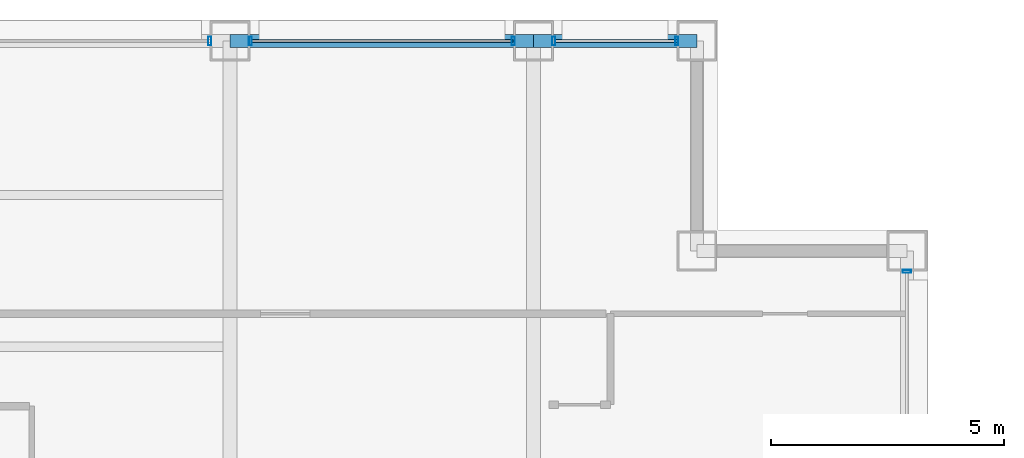
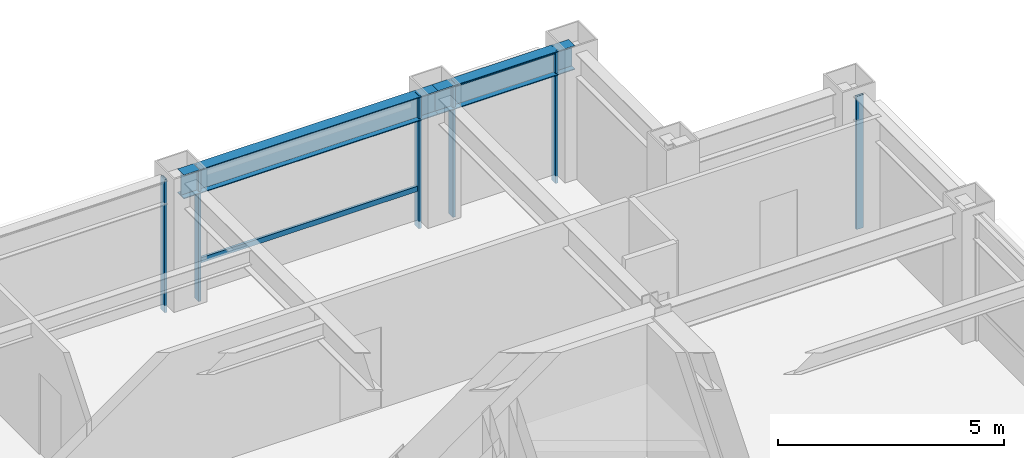
# One storey, part 23 of 31: 8 members, 2 beams, 4 elements without a shape of their own.
"""IFC4 building model written with IfcOpenShell, lengths in metres."""

from ifc_helpers import new_model, si_unit, direction, frame, origin, origin_2d, place, context, subcontext, project, spatial, hollow_rectangle, i_section, extrude, material, layer, layer_set, material_profile, profile_set, type_object, element, aggregate, save


model = new_model("IFC4")

# Units and contexts
model_context = context("Model", 3, precision=1e-05, world=origin(), true_north=direction((0.0, 1.0)))
body_context = subcontext(model_context, "Body", "Model", "MODEL_VIEW")
ifc_project = project(units=[si_unit("LENGTHUNIT", "METRE"), si_unit("AREAUNIT", "SQUARE_METRE"), si_unit("VOLUMEUNIT", "CUBIC_METRE"), si_unit("PLANEANGLEUNIT", "RADIAN"), si_unit("MASSUNIT", "GRAM", prefix="KILO")], contexts=[model_context])

# Site, building, storey
site_placement = place(None, origin())
site = spatial("IfcSite", under=ifc_project, at=site_placement, CompositionType="ELEMENT")
building_placement = place(site_placement, origin())
building = spatial("IfcBuilding", under=site, at=building_placement, Name="Brelmoor Portico Tower", CompositionType="ELEMENT")
storey_placement = place(building_placement, frame((0.0, 0.0, 113.39990234375)))
storey = spatial("IfcBuildingStorey", under=building, at=storey_placement, Name="L29", CompositionType="ELEMENT", Elevation=113.39990234375)

# Beams
ifc_material_1 = material(Name="Steel Q355B", Category="steel")
ifc_material_profile_1 = material_profile(ifc_material_1, i_section(OverallWidth=0.280029296875, OverallDepth=0.64990234375, WebThickness=0.012939453125, FlangeThickness=0.02197265625, at=origin_2d()), Name="HN 650x280x13x22")
ifc_profile_set_1 = profile_set([ifc_material_profile_1], Name="Steel Q355B")
beam_type = type_object("IfcBeamType", Name="BM-SP-650", PredefinedType="SPANDREL", material=ifc_profile_set_1)
beam_1_placement = place(storey_placement, frame((8.050048828125, 19.550048828125, 3.0751953125), z_axis=(1.0, 0.0, 0.0), x_axis=(0.0, 1.0, 0.0)))
element("IfcBeam", 1, at=beam_1_placement, inside=storey, type_object=beam_type, Name="L29 Perimeter Spandrel Beam SP-13", PredefinedType="SPANDREL", context=body_context, shape_type="SweptSolid", body=[
    extrude(i_section(OverallWidth=0.280029296875, OverallDepth=0.64990234375, WebThickness=0.012939453125, FlangeThickness=0.02197265625, at=origin_2d()), origin(), (0.0, 0.0, 1.0), 6.5),
])
beam_2_placement = place(storey_placement, frame((14.550048828125, 19.550048828125, 3.0751953125), z_axis=(1.0, 0.0, 0.0), x_axis=(0.0, 1.0, 0.0)))
element("IfcBeam", 2, at=beam_2_placement, inside=storey, type_object=beam_type, Name="L29 Perimeter Spandrel Beam SP-14", PredefinedType="SPANDREL", context=body_context, shape_type="SweptSolid", body=[
    extrude(i_section(OverallWidth=0.280029296875, OverallDepth=0.64990234375, WebThickness=0.012939453125, FlangeThickness=0.02197265625, at=origin_2d()), origin(), (0.0, 0.0, 1.0), 3.5),
])

# Curtain wall, member
ifc_material_2 = material(Name="Anodised Aluminium Alloy 6063-T6", Category="aluminium")
ifc_layer_1 = layer(ifc_material_2, 0.179931640625)
ifc_layer_set_1 = layer_set([ifc_layer_1], Name="Anodised Aluminium Alloy 6063-T6")
curtain_wall_type_1 = type_object("IfcCurtainWallType", Name="CW-TOWER-Z2-XB", PredefinedType="NOTDEFINED", material=ifc_layer_set_1)
curtain_wall_1_placement = place(storey_placement, origin())
curtain_wall_1 = element("IfcCurtainWall", 3, at=curtain_wall_1_placement, inside=storey, type_object=curtain_wall_type_1, Name="L29 Curtain Wall CW-L29-02-3", PredefinedType="NOTDEFINED")
ifc_material_profile_2 = material_profile(ifc_material_2, hollow_rectangle(XDim=0.06494140625, YDim=0.179931640625, WallThickness=0.00390625, at=origin_2d()), Name="ALU MULLION 65x180")
ifc_profile_set_2 = profile_set([ifc_material_profile_2], Name="Anodised Aluminium Alloy 6063-T6")
member_type_1 = type_object("IfcMemberType", Name="MB-CW-MULL-180", PredefinedType="MULLION", material=ifc_profile_set_2)
member_1_placement = place(storey_placement, frame((7.614990234375, 19.550048828125, -0.199951171875), z_axis=(0.0, 0.0, 1.0), x_axis=(1.0, 0.0, 0.0)))
member_1 = element("IfcMember", 4, at=member_1_placement, type_object=member_type_1, Name="CW-L29-02-3 Mullion 01", PredefinedType="MULLION", context=body_context, shape_type="SweptSolid", body=[
    extrude(hollow_rectangle(XDim=0.06494140625, YDim=0.179931640625, WallThickness=0.00390625, at=origin_2d()), origin(), (0.0, 0.0, 1.0), 3.60009765625),
])
aggregate(curtain_wall_1, [member_1])

# Curtain wall, members
ifc_layer_2 = layer(ifc_material_2, 0.179931640625)
ifc_layer_set_2 = layer_set([ifc_layer_2], Name="Anodised Aluminium Alloy 6063-T6")
curtain_wall_type_2 = type_object("IfcCurtainWallType", Name="CW-TOWER-Z2", PredefinedType="NOTDEFINED", material=ifc_layer_set_2)
curtain_wall_2_placement = place(storey_placement, origin())
curtain_wall_2 = element("IfcCurtainWall", 5, at=curtain_wall_2_placement, inside=storey, type_object=curtain_wall_type_2, Name="L29 Curtain Wall CW-L29-02-4", PredefinedType="NOTDEFINED")
member_2_placement = place(storey_placement, frame((8.485107421875, 19.550048828125, -0.199951171875), z_axis=(0.0, 0.0, 1.0), x_axis=(1.0, 0.0, 0.0)))
member_2 = element("IfcMember", 6, at=member_2_placement, type_object=member_type_1, Name="CW-L29-02-4 Mullion 00", PredefinedType="MULLION", context=body_context, shape_type="SweptSolid", body=[
    extrude(hollow_rectangle(XDim=0.06494140625, YDim=0.179931640625, WallThickness=0.00390625, at=origin_2d()), origin(), (0.0, 0.0, 1.0), 3.60009765625),
])
member_3_placement = place(storey_placement, frame((14.114990234375, 19.550048828125, -0.199951171875), z_axis=(0.0, 0.0, 1.0), x_axis=(1.0, 0.0, 0.0)))
member_3 = element("IfcMember", 7, at=member_3_placement, type_object=member_type_1, Name="CW-L29-02-4 Mullion 01", PredefinedType="MULLION", context=body_context, shape_type="SweptSolid", body=[
    extrude(hollow_rectangle(XDim=0.06494140625, YDim=0.179931640625, WallThickness=0.00390625, at=origin_2d()), origin(), (0.0, 0.0, 1.0), 3.60009765625),
])

curtain_wall_3_placement = place(storey_placement, origin())
curtain_wall_3 = element("IfcCurtainWall", 8, at=curtain_wall_3_placement, inside=storey, type_object=curtain_wall_type_1, Name="L29 Curtain Wall CW-L29-02-5", PredefinedType="NOTDEFINED")
member_4_placement = place(storey_placement, frame((14.985107421875, 19.550048828125, -0.199951171875), z_axis=(0.0, 0.0, 1.0), x_axis=(1.0, 0.0, 0.0)))
member_4 = element("IfcMember", 9, at=member_4_placement, type_object=member_type_1, Name="CW-L29-02-5 Mullion 00", PredefinedType="MULLION", context=body_context, shape_type="SweptSolid", body=[
    extrude(hollow_rectangle(XDim=0.06494140625, YDim=0.179931640625, WallThickness=0.00390625, at=origin_2d()), origin(), (0.0, 0.0, 1.0), 3.60009765625),
])
member_5_placement = place(storey_placement, frame((17.614990234375, 19.550048828125, -0.199951171875), z_axis=(0.0, 0.0, 1.0), x_axis=(1.0, 0.0, 0.0)))
member_5 = element("IfcMember", 10, at=member_5_placement, type_object=member_type_1, Name="CW-L29-02-5 Mullion 01", PredefinedType="MULLION", context=body_context, shape_type="SweptSolid", body=[
    extrude(hollow_rectangle(XDim=0.06494140625, YDim=0.179931640625, WallThickness=0.00390625, at=origin_2d()), origin(), (0.0, 0.0, 1.0), 3.60009765625),
])

# Curtain wall, member
curtain_wall_4_placement = place(storey_placement, origin())
curtain_wall_4 = element("IfcCurtainWall", 11, at=curtain_wall_4_placement, inside=storey, type_object=curtain_wall_type_1, Name="L29 Curtain Wall CW-L29-4R-2", PredefinedType="NOTDEFINED")
member_6_placement = place(storey_placement, frame((22.550048828125, 14.614990234375, -0.199951171875), z_axis=(0.0, 0.0, 1.0), x_axis=(0.0, 1.0, 0.0)))
member_6 = element("IfcMember", 12, at=member_6_placement, type_object=member_type_1, Name="CW-L29-4R-2 Mullion 01", PredefinedType="MULLION", context=body_context, shape_type="SweptSolid", body=[
    extrude(hollow_rectangle(XDim=0.06494140625, YDim=0.179931640625, WallThickness=0.00390625, at=origin_2d()), origin(), (0.0, 0.0, 1.0), 3.60009765625),
])
aggregate(curtain_wall_4, [member_6])

# Member
ifc_material_profile_3 = material_profile(ifc_material_2, hollow_rectangle(XDim=0.06494140625, YDim=0.139892578125, WallThickness=0.00390625, at=origin_2d()), Name="ALU TRANSOM 65x140")
ifc_profile_set_3 = profile_set([ifc_material_profile_3], Name="Anodised Aluminium Alloy 6063-T6")
member_type_2 = type_object("IfcMemberType", Name="MB-CW-TRAN-140", PredefinedType="USERDEFINED", material=ifc_profile_set_3)
member_7_placement = place(storey_placement, frame((8.485107421875, 19.550048828125, 0.85009765625), z_axis=(1.0, 0.0, 0.0), x_axis=(0.0, 1.0, 0.0)))
member_7 = element("IfcMember", 13, at=member_7_placement, type_object=member_type_2, Name="CW-L29-02-4 Transom 1-00", ObjectType="TRANSOM", PredefinedType="USERDEFINED", context=body_context, shape_type="SweptSolid", body=[
    extrude(hollow_rectangle(XDim=0.06494140625, YDim=0.139892578125, WallThickness=0.00390625, at=origin_2d()), origin(), (0.0, 0.0, 1.0), 5.6298828125),
])

aggregate(curtain_wall_2, [member_2, member_3, member_7])

member_8_placement = place(storey_placement, frame((14.985107421875, 19.550048828125, 3.330078125), z_axis=(1.0, 0.0, 0.0), x_axis=(0.0, 1.0, 0.0)))
member_8 = element("IfcMember", 14, at=member_8_placement, type_object=member_type_2, Name="CW-L29-02-5 Transom 1-00", ObjectType="TRANSOM", PredefinedType="USERDEFINED", context=body_context, shape_type="SweptSolid", body=[
    extrude(hollow_rectangle(XDim=0.06494140625, YDim=0.139892578125, WallThickness=0.00390625, at=origin_2d()), origin(), (0.0, 0.0, 1.0), 2.6298828125),
])

aggregate(curtain_wall_3, [member_4, member_5, member_8])

save(model, "model.ifc")
